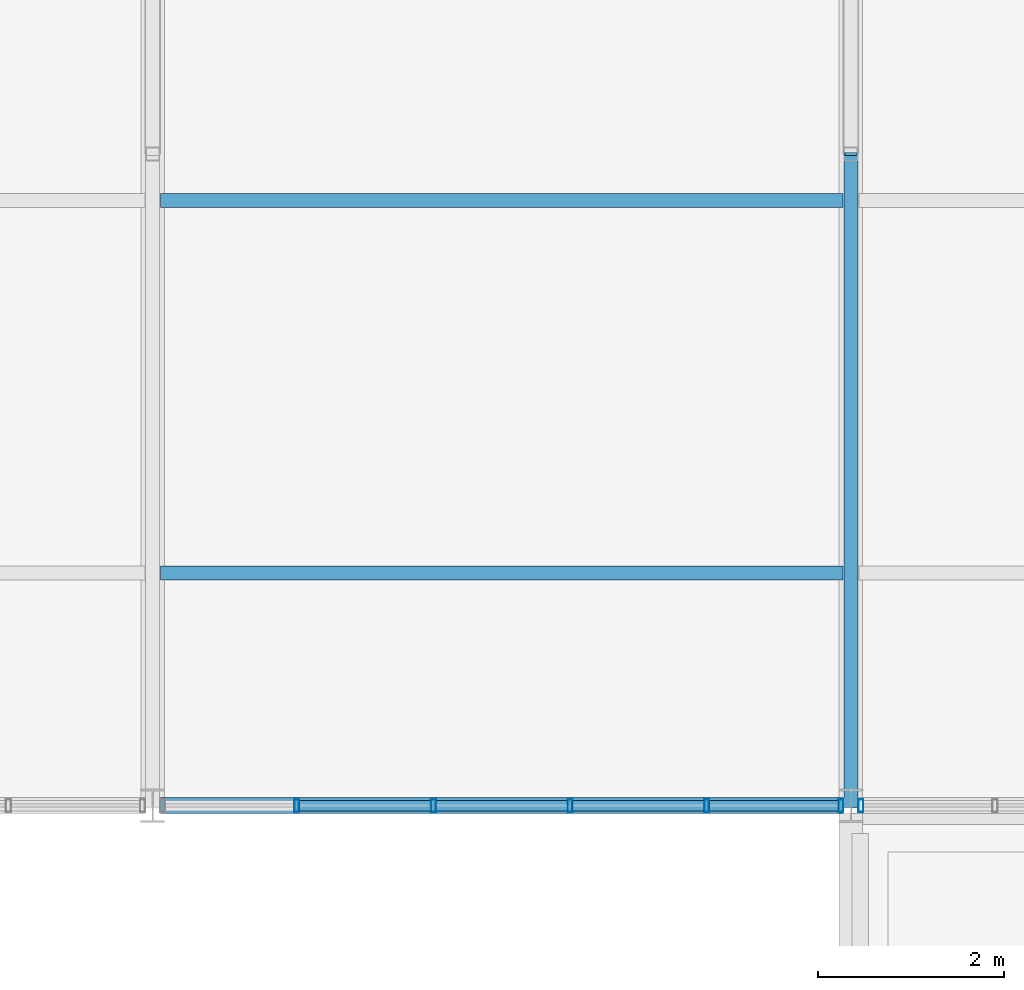
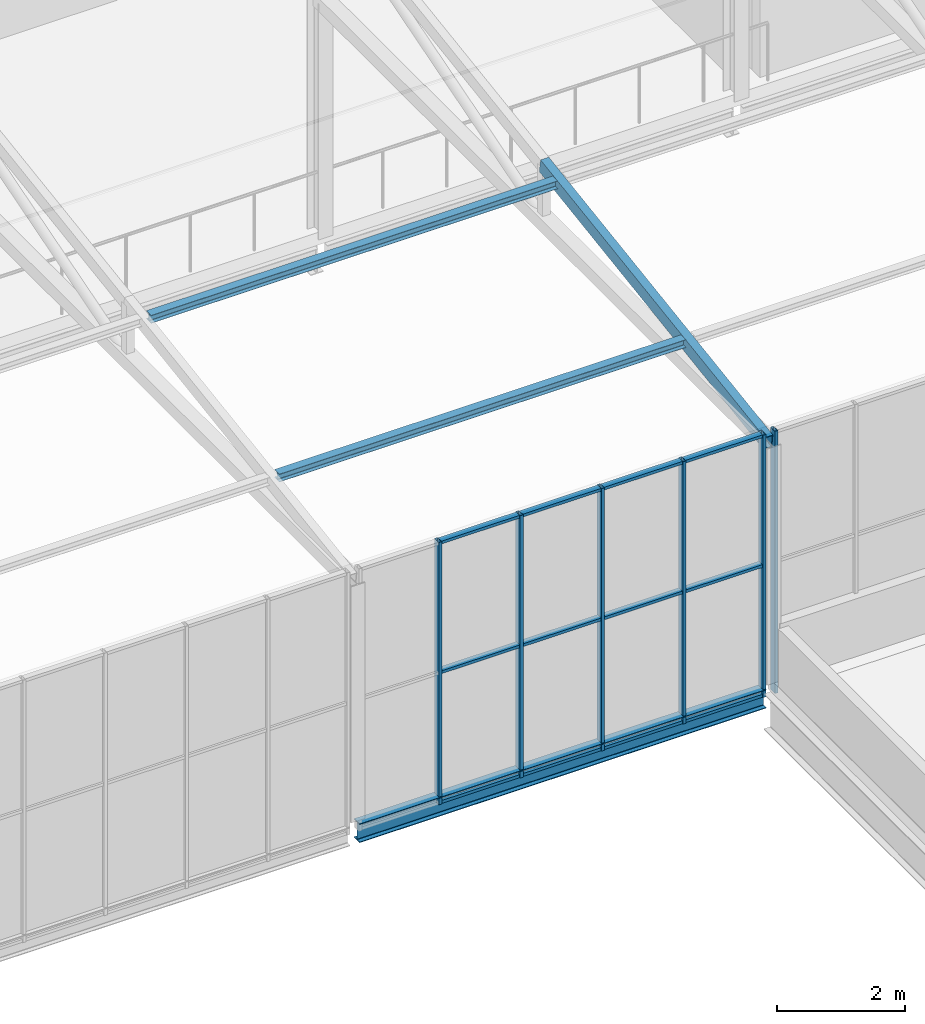
# One storey, part 45 of 104: 19 members, 3 beams, 2 elements without a shape of their own.
"""IFC4 building model written with IfcOpenShell, lengths in metres."""

from ifc_helpers import new_model, si_unit, direction, frame, origin, origin_2d, place, context, subcontext, project, spatial, hollow_rectangle, i_section, extrude, material, layer, layer_set, material_profile, profile_set, type_object, element, aggregate, save


model = new_model("IFC4")

# Units and contexts
model_context = context("Model", 3, precision=1e-05, world=origin(), true_north=direction((0.0, 1.0)))
body_context = subcontext(model_context, "Body", "Model", "MODEL_VIEW")
ifc_project = project(units=[si_unit("LENGTHUNIT", "METRE"), si_unit("AREAUNIT", "SQUARE_METRE"), si_unit("VOLUMEUNIT", "CUBIC_METRE"), si_unit("PLANEANGLEUNIT", "RADIAN"), si_unit("MASSUNIT", "GRAM", prefix="KILO")], contexts=[model_context])

# Site, building, storey
site_placement = place(None, origin())
site = spatial("IfcSite", under=ifc_project, at=site_placement, CompositionType="ELEMENT")
building_placement = place(site_placement, origin())
building = spatial("IfcBuilding", under=site, at=building_placement, Name="Solvenia Promenade Tram Depot", CompositionType="ELEMENT")
storey_placement = place(building_placement, frame((0.0, 0.0, 9.0)))
storey = spatial("IfcBuildingStorey", under=building, at=storey_placement, Name="L02", CompositionType="ELEMENT", Elevation=9.0)

# Curtain wall, members
ifc_material_1 = material(Name="Anodized aluminium AW-6063 T6", Category="aluminium")
ifc_layer = layer(ifc_material_1, 0.080078125, Name="Anodized aluminium AW-6063 T6", Category="aluminium")
ifc_layer_set = layer_set([ifc_layer], Name="Anodized aluminium AW-6063 T6")
curtain_wall_type = type_object("IfcCurtainWallType", Name="CW-Clerest-1500", PredefinedType="NOTDEFINED", material=ifc_layer_set)
curtain_wall_1_placement = place(storey_placement, origin())
curtain_wall_1 = element("IfcCurtainWall", 1, at=curtain_wall_1_placement, inside=storey, type_object=curtain_wall_type, Name="Curtain Wall CW-V2S-L2-04", PredefinedType="NOTDEFINED")
ifc_material_profile_1 = material_profile(ifc_material_1, hollow_rectangle(XDim=0.139892578125, YDim=0.054931640625, WallThickness=0.00390625, at=origin_2d()), Name="ALU-M4", Category="aluminium")
ifc_profile_set_1 = profile_set([ifc_material_profile_1], Name="Anodized aluminium AW-6063 T6")
member_type_1 = type_object("IfcMemberType", Name="CWM-Mullion-4", PredefinedType="MULLION", material=ifc_profile_set_1)
member_1_placement = place(storey_placement, frame((129.048095703125, 24.0, -0.300048828125), z_axis=(0.0, 0.0, 1.0), x_axis=(0.0, 1.0, 0.0)))
member_1 = element("IfcMember", 2, at=member_1_placement, type_object=member_type_1, Name="CW-4 mullion 2", PredefinedType="MULLION", context=body_context, shape_type="SweptSolid", body=[
    extrude(hollow_rectangle(XDim=0.139892578125, YDim=0.054931640625, WallThickness=0.00390625, at=origin_2d()), origin(), (0.0, 0.0, 1.0), 5.0),
])
member_2_placement = place(storey_placement, frame((130.51611328125, 24.0, -0.300048828125), z_axis=(0.0, 0.0, 1.0), x_axis=(0.0, 1.0, 0.0)))
member_2 = element("IfcMember", 3, at=member_2_placement, type_object=member_type_1, Name="CW-4 mullion 3", PredefinedType="MULLION", context=body_context, shape_type="SweptSolid", body=[
    extrude(hollow_rectangle(XDim=0.139892578125, YDim=0.054931640625, WallThickness=0.00390625, at=origin_2d()), origin(), (0.0, 0.0, 1.0), 5.0),
])
member_3_placement = place(storey_placement, frame((131.98388671875, 24.0, -0.300048828125), z_axis=(0.0, 0.0, 1.0), x_axis=(0.0, 1.0, 0.0)))
member_3 = element("IfcMember", 4, at=member_3_placement, type_object=member_type_1, Name="CW-4 mullion 4", PredefinedType="MULLION", context=body_context, shape_type="SweptSolid", body=[
    extrude(hollow_rectangle(XDim=0.139892578125, YDim=0.054931640625, WallThickness=0.00390625, at=origin_2d()), origin(), (0.0, 0.0, 1.0), 5.0),
])
member_4_placement = place(storey_placement, frame((133.451904296875, 24.0, -0.300048828125), z_axis=(0.0, 0.0, 1.0), x_axis=(0.0, 1.0, 0.0)))
member_4 = element("IfcMember", 5, at=member_4_placement, type_object=member_type_1, Name="CW-4 mullion 5", PredefinedType="MULLION", context=body_context, shape_type="SweptSolid", body=[
    extrude(hollow_rectangle(XDim=0.139892578125, YDim=0.054931640625, WallThickness=0.00390625, at=origin_2d()), origin(), (0.0, 0.0, 1.0), 5.0),
])
member_5_placement = place(storey_placement, frame((134.892578125, 24.0, -0.300048828125), z_axis=(0.0, 0.0, 1.0), x_axis=(0.0, 1.0, 0.0)))
member_5 = element("IfcMember", 6, at=member_5_placement, type_object=member_type_1, Name="CW-4 mullion 6", PredefinedType="MULLION", context=body_context, shape_type="SweptSolid", body=[
    extrude(hollow_rectangle(XDim=0.139892578125, YDim=0.054931640625, WallThickness=0.00390625, at=origin_2d()), origin(), (0.0, 0.0, 1.0), 5.0),
])

# Curtain wall, member
curtain_wall_2_placement = place(storey_placement, origin())
curtain_wall_2 = element("IfcCurtainWall", 7, at=curtain_wall_2_placement, inside=storey, type_object=curtain_wall_type, Name="Curtain Wall CW-V2S-L2-05", PredefinedType="NOTDEFINED")
member_6_placement = place(storey_placement, frame((135.107421875, 24.0, -0.300048828125), z_axis=(0.0, 0.0, 1.0), x_axis=(0.0, 1.0, 0.0)))
member_6 = element("IfcMember", 8, at=member_6_placement, type_object=member_type_1, Name="CW-4 mullion 1", PredefinedType="MULLION", context=body_context, shape_type="SweptSolid", body=[
    extrude(hollow_rectangle(XDim=0.139892578125, YDim=0.054931640625, WallThickness=0.00390625, at=origin_2d()), origin(), (0.0, 0.0, 1.0), 5.0),
])
aggregate(curtain_wall_2, [member_6])

# Member
ifc_material_profile_2 = material_profile(ifc_material_1, hollow_rectangle(XDim=0.110107421875, YDim=0.054931640625, WallThickness=0.00390625, at=origin_2d()), Name="ALU-T4", Category="aluminium")
ifc_profile_set_2 = profile_set([ifc_material_profile_2], Name="Anodized aluminium AW-6063 T6")
member_type_2 = type_object("IfcMemberType", Name="CWT-Transom-4", PredefinedType="USERDEFINED", material=ifc_profile_set_2)
member_7_placement = place(storey_placement, frame((129.075439453125, 24.0, -0.2724609375), z_axis=(1.0, 0.0, 0.0), x_axis=(0.0, 1.0, 0.0)))
member_7 = element("IfcMember", 9, at=member_7_placement, type_object=member_type_2, Name="CW-4 transom 2.1", ObjectType="TRANSOM", PredefinedType="USERDEFINED", context=body_context, shape_type="SweptSolid", body=[
    extrude(hollow_rectangle(XDim=0.110107421875, YDim=0.054931640625, WallThickness=0.00390625, at=origin_2d()), origin(), (0.0, 0.0, 1.0), 1.4130859375),
])

member_8_placement = place(storey_placement, frame((129.075439453125, 24.0, 2.199951171875), z_axis=(1.0, 0.0, 0.0), x_axis=(0.0, 1.0, 0.0)))
member_8 = element("IfcMember", 10, at=member_8_placement, type_object=member_type_2, Name="CW-4 transom 2.2", ObjectType="TRANSOM", PredefinedType="USERDEFINED", context=body_context, shape_type="SweptSolid", body=[
    extrude(hollow_rectangle(XDim=0.110107421875, YDim=0.054931640625, WallThickness=0.00390625, at=origin_2d()), origin(), (0.0, 0.0, 1.0), 1.4130859375),
])

member_9_placement = place(storey_placement, frame((129.075439453125, 24.0, 4.672607421875), z_axis=(1.0, 0.0, 0.0), x_axis=(0.0, 1.0, 0.0)))
member_9 = element("IfcMember", 11, at=member_9_placement, type_object=member_type_2, Name="CW-4 transom 2.3", ObjectType="TRANSOM", PredefinedType="USERDEFINED", context=body_context, shape_type="SweptSolid", body=[
    extrude(hollow_rectangle(XDim=0.110107421875, YDim=0.054931640625, WallThickness=0.00390625, at=origin_2d()), origin(), (0.0, 0.0, 1.0), 1.4130859375),
])

member_10_placement = place(storey_placement, frame((130.54345703125, 24.0, -0.2724609375), z_axis=(1.0, 0.0, 0.0), x_axis=(0.0, 1.0, 0.0)))
member_10 = element("IfcMember", 12, at=member_10_placement, type_object=member_type_2, Name="CW-4 transom 3.1", ObjectType="TRANSOM", PredefinedType="USERDEFINED", context=body_context, shape_type="SweptSolid", body=[
    extrude(hollow_rectangle(XDim=0.110107421875, YDim=0.054931640625, WallThickness=0.00390625, at=origin_2d()), origin(), (0.0, 0.0, 1.0), 1.4130859375),
])

member_11_placement = place(storey_placement, frame((130.54345703125, 24.0, 2.199951171875), z_axis=(1.0, 0.0, 0.0), x_axis=(0.0, 1.0, 0.0)))
member_11 = element("IfcMember", 13, at=member_11_placement, type_object=member_type_2, Name="CW-4 transom 3.2", ObjectType="TRANSOM", PredefinedType="USERDEFINED", context=body_context, shape_type="SweptSolid", body=[
    extrude(hollow_rectangle(XDim=0.110107421875, YDim=0.054931640625, WallThickness=0.00390625, at=origin_2d()), origin(), (0.0, 0.0, 1.0), 1.4130859375),
])

member_12_placement = place(storey_placement, frame((130.54345703125, 24.0, 4.672607421875), z_axis=(1.0, 0.0, 0.0), x_axis=(0.0, 1.0, 0.0)))
member_12 = element("IfcMember", 14, at=member_12_placement, type_object=member_type_2, Name="CW-4 transom 3.3", ObjectType="TRANSOM", PredefinedType="USERDEFINED", context=body_context, shape_type="SweptSolid", body=[
    extrude(hollow_rectangle(XDim=0.110107421875, YDim=0.054931640625, WallThickness=0.00390625, at=origin_2d()), origin(), (0.0, 0.0, 1.0), 1.4130859375),
])

member_13_placement = place(storey_placement, frame((132.011474609375, 24.0, -0.2724609375), z_axis=(1.0, 0.0, 0.0), x_axis=(0.0, 1.0, 0.0)))
member_13 = element("IfcMember", 15, at=member_13_placement, type_object=member_type_2, Name="CW-4 transom 4.1", ObjectType="TRANSOM", PredefinedType="USERDEFINED", context=body_context, shape_type="SweptSolid", body=[
    extrude(hollow_rectangle(XDim=0.110107421875, YDim=0.054931640625, WallThickness=0.00390625, at=origin_2d()), origin(), (0.0, 0.0, 1.0), 1.4130859375),
])

member_14_placement = place(storey_placement, frame((132.011474609375, 24.0, 2.199951171875), z_axis=(1.0, 0.0, 0.0), x_axis=(0.0, 1.0, 0.0)))
member_14 = element("IfcMember", 16, at=member_14_placement, type_object=member_type_2, Name="CW-4 transom 4.2", ObjectType="TRANSOM", PredefinedType="USERDEFINED", context=body_context, shape_type="SweptSolid", body=[
    extrude(hollow_rectangle(XDim=0.110107421875, YDim=0.054931640625, WallThickness=0.00390625, at=origin_2d()), origin(), (0.0, 0.0, 1.0), 1.4130859375),
])

member_15_placement = place(storey_placement, frame((132.011474609375, 24.0, 4.672607421875), z_axis=(1.0, 0.0, 0.0), x_axis=(0.0, 1.0, 0.0)))
member_15 = element("IfcMember", 17, at=member_15_placement, type_object=member_type_2, Name="CW-4 transom 4.3", ObjectType="TRANSOM", PredefinedType="USERDEFINED", context=body_context, shape_type="SweptSolid", body=[
    extrude(hollow_rectangle(XDim=0.110107421875, YDim=0.054931640625, WallThickness=0.00390625, at=origin_2d()), origin(), (0.0, 0.0, 1.0), 1.4130859375),
])

member_16_placement = place(storey_placement, frame((133.4794921875, 24.0, -0.2724609375), z_axis=(1.0, 0.0, 0.0), x_axis=(0.0, 1.0, 0.0)))
member_16 = element("IfcMember", 18, at=member_16_placement, type_object=member_type_2, Name="CW-4 transom 5.1", ObjectType="TRANSOM", PredefinedType="USERDEFINED", context=body_context, shape_type="SweptSolid", body=[
    extrude(hollow_rectangle(XDim=0.110107421875, YDim=0.054931640625, WallThickness=0.00390625, at=origin_2d()), origin(), (0.0, 0.0, 1.0), 1.385498046875),
])

member_17_placement = place(storey_placement, frame((133.4794921875, 24.0, 2.199951171875), z_axis=(1.0, 0.0, 0.0), x_axis=(0.0, 1.0, 0.0)))
member_17 = element("IfcMember", 19, at=member_17_placement, type_object=member_type_2, Name="CW-4 transom 5.2", ObjectType="TRANSOM", PredefinedType="USERDEFINED", context=body_context, shape_type="SweptSolid", body=[
    extrude(hollow_rectangle(XDim=0.110107421875, YDim=0.054931640625, WallThickness=0.00390625, at=origin_2d()), origin(), (0.0, 0.0, 1.0), 1.385498046875),
])

member_18_placement = place(storey_placement, frame((133.4794921875, 24.0, 4.672607421875), z_axis=(1.0, 0.0, 0.0), x_axis=(0.0, 1.0, 0.0)))
member_18 = element("IfcMember", 20, at=member_18_placement, type_object=member_type_2, Name="CW-4 transom 5.3", ObjectType="TRANSOM", PredefinedType="USERDEFINED", context=body_context, shape_type="SweptSolid", body=[
    extrude(hollow_rectangle(XDim=0.110107421875, YDim=0.054931640625, WallThickness=0.00390625, at=origin_2d()), origin(), (0.0, 0.0, 1.0), 1.385498046875),
])

aggregate(curtain_wall_1, [member_1, member_2, member_3, member_4, member_5, member_7, member_8, member_9, member_10, member_11, member_12, member_13, member_14, member_15, member_16, member_17, member_18])

ifc_material_2 = material(Name="Structural steel ASTM A500 Gr. C", Category="steel")
ifc_material_profile_3 = material_profile(ifc_material_2, hollow_rectangle(XDim=0.14990234375, YDim=0.25, WallThickness=0.010009765625, at=origin_2d()), Name="HSS250x150x10", Category="steel")
ifc_profile_set_3 = profile_set([ifc_material_profile_3], Name="Structural steel ASTM A500 Gr. C")
member_type_3 = type_object("IfcMemberType", Name="Chord-HSS250x150x10", PredefinedType="CHORD", material=ifc_profile_set_3)
member_19_placement = place(storey_placement, frame((135.0, 24.0, 4.47998046875), z_axis=(0.0, 0.988935340875, 0.148347199397), x_axis=(-1.0, 0.0, 0.0)))
element("IfcMember", 21, at=member_19_placement, inside=storey, type_object=member_type_3, Name="Crane Hall Clerestory Rafter 05S", PredefinedType="CHORD", context=body_context, shape_type="SweptSolid", body=[
    extrude(hollow_rectangle(XDim=0.14990234375, YDim=0.25, WallThickness=0.010009765625, at=origin_2d()), origin(), (0.0, 0.0, 1.0), 7.078369140625),
])

# Beams
ifc_material_3 = material(Name="Structural steel ASTM A992 Gr. 50", Category="steel")
ifc_material_profile_4 = material_profile(ifc_material_3, i_section(OverallWidth=0.152099609375, OverallDepth=0.152099609375, WebThickness=0.005859375, FlangeThickness=0.006591796875, FilletRadius=0.008056640625, at=origin_2d()), Name="W150x22", Category="steel")
ifc_profile_set_4 = profile_set([ifc_material_profile_4], Name="Structural steel ASTM A992 Gr. 50")
beam_type_1 = type_object("IfcBeamType", Name="Purlin-W150x22", PredefinedType="USERDEFINED", material=ifc_profile_set_4)
for number, where, z_axis, x_axis, name in (
    (22, (127.5849609375, 26.5, 4.919921875), (1.0, 0.0, 0.0), (0.0, 1.0, 0.0), "Clerestory Purlin 0207"),
    (23, (127.5849609375, 30.5, 5.52001953125), (1.0, 0.0, 0.0), (0.0, 1.0, 0.0), "Clerestory Purlin 0208"),
):
    element("IfcBeam", number, at=place(storey_placement, frame(where, z_axis=z_axis, x_axis=x_axis)), inside=storey, type_object=beam_type_1, Name=name, ObjectType="PURLIN", PredefinedType="USERDEFINED", context=body_context, shape_type="SweptSolid", body=[
        extrude(i_section(OverallWidth=0.152099609375, OverallDepth=0.152099609375, WebThickness=0.005859375, FlangeThickness=0.006591796875, FilletRadius=0.008056640625, at=origin_2d()), origin(), (0.0, 0.0, 1.0), 7.330078125),
    ])
ifc_material_profile_5 = material_profile(ifc_material_3, i_section(OverallWidth=0.172119140625, OverallDepth=0.35791015625, WebThickness=0.0078125, FlangeThickness=0.01318359375, FilletRadius=0.010986328125, at=origin_2d()), Name="W360x57", Category="steel")
ifc_profile_set_5 = profile_set([ifc_material_profile_5], Name="Structural steel ASTM A992 Gr. 50")
beam_type_2 = type_object("IfcBeamType", Name="Spandrel-W360x57", PredefinedType="SPANDREL", material=ifc_profile_set_5)
beam_placement = place(storey_placement, frame((127.5849609375, 24.0, -0.3291015625), z_axis=(1.0, 0.0, 0.0), x_axis=(0.0, 1.0, 0.0)))
element("IfcBeam", 24, at=beam_placement, inside=storey, type_object=beam_type_2, Name="Crane Hall L02 Facade Girt BM-L02-0995", PredefinedType="SPANDREL", context=body_context, shape_type="SweptSolid", body=[
    extrude(i_section(OverallWidth=0.172119140625, OverallDepth=0.35791015625, WebThickness=0.0078125, FlangeThickness=0.01318359375, FilletRadius=0.010986328125, at=origin_2d()), origin(), (0.0, 0.0, 1.0), 7.330078125),
])

save(model, "model.ifc")
